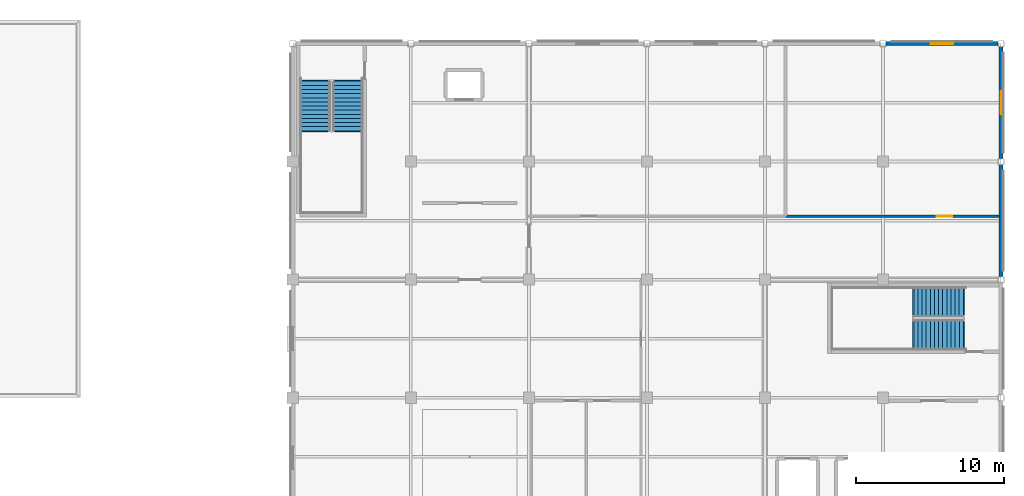
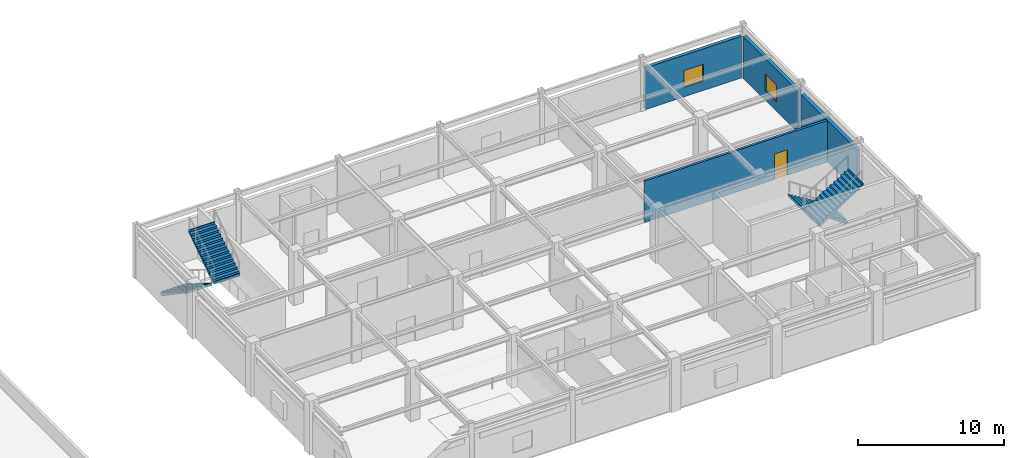
# One storey, part 35 of 42: 4 stair flights, 4 walls, 2 windows, 1 door, 3 openings, 2 elements without a shape of their own.
"""IFC4 building model written with IfcOpenShell, lengths in metres."""

from ifc_helpers import new_model, si_unit, direction, frame, frame_2d, origin, place, context, subcontext, project, spatial, polyline, rectangle, outline, extrude, material, layer, layer_set, type_object, element, fill, aggregate, save


model = new_model("IFC4")

# Units and contexts
model_context = context("Model", 3, precision=1e-05, world=origin(), true_north=direction((0.0, 1.0)))
body_context = subcontext(model_context, "Body", "Model", "MODEL_VIEW")
ifc_project = project(units=[si_unit("LENGTHUNIT", "METRE"), si_unit("AREAUNIT", "SQUARE_METRE"), si_unit("VOLUMEUNIT", "CUBIC_METRE"), si_unit("PLANEANGLEUNIT", "RADIAN"), si_unit("MASSUNIT", "GRAM", prefix="KILO")], contexts=[model_context])

# Site, building, storey
site_placement = place(None, origin())
site = spatial("IfcSite", under=ifc_project, at=site_placement, CompositionType="ELEMENT")
building_placement = place(site_placement, origin())
building = spatial("IfcBuilding", under=site, at=building_placement, Name="Solmirada Galleria", CompositionType="ELEMENT")
storey_placement = place(building_placement, frame((0.0, 0.0, 28.39990234375)))
storey = spatial("IfcBuildingStorey", under=building, at=storey_placement, Name="L06", CompositionType="ELEMENT", Elevation=28.39990234375)

# Wall, opening, window
ifc_material_1 = material(Name="Precast concrete C40/50", Category="concrete")
ifc_layer_1 = layer(ifc_material_1, 0.27001953125)
ifc_layer_set_1 = layer_set([ifc_layer_1], Name="Precast concrete C40/50")
wall_type_1 = type_object("IfcWallType", Name="WL-EXT-270", PredefinedType="STANDARD", material=ifc_layer_set_1)
wall_1_placement = place(storey_placement, frame((168.202880859375, 120.0, 0.0), z_axis=(0.0, 0.0, 1.0), x_axis=(1.0, 0.0, 0.0)))
wall_1 = element("IfcWall", 1, at=wall_1_placement, inside=storey, type_object=wall_type_1, Name="Exterior wall L06 bay 043", PredefinedType="STANDARD", context=body_context, shape_type="SweptSolid", body=[
    extrude(rectangle(XDim=7.59423828125, YDim=0.27001953125, at=frame_2d((3.797119140625, 0.0))), origin(), (0.0, 0.0, 1.0), 3.47998046875),
])
opening_1_placement = place(wall_1_placement, frame((3.02197265625, 0.0, 0.800048828125)))
opening_1 = element("IfcOpeningElement", 2, at=opening_1_placement, cuts=wall_1, Name="Opening WN14", PredefinedType="OPENING", context=body_context, shape_type="SweptSolid", body=[
    extrude(rectangle(XDim=1.550048828125, YDim=1.39990234375, at=frame_2d((0.77490234375, 0.699951171875))), frame((0.0, 0.14501953125, 0.0), z_axis=(0.0, -1.0, 0.0), x_axis=(1.0, 0.0, 0.0)), (0.0, 0.0, 1.0), 0.2900390625),
])
ifc_material_2 = material(Name="Impact-resistant low-E double glazing", Category="glass")
window_type = type_object("IfcWindowType", Name="WIN-OFF-155X140", PartitioningType="SINGLE_PANEL", PredefinedType="WINDOW", material=ifc_material_2)
window_1_placement = place(opening_1_placement, origin())
window_1 = element("IfcWindow", 3, at=window_1_placement, inside=storey, type_object=window_type, Name="Window L06-204", OverallHeight=1.39990234375, OverallWidth=1.550048828125, PartitioningType="SINGLE_PANEL", PredefinedType="WINDOW", context=body_context, shape_type="SweptSolid", body=[
    extrude(rectangle(XDim=1.550048828125, YDim=1.39990234375, at=frame_2d((0.77490234375, 0.699951171875))), frame((0.0, 0.030029296875, 0.0), z_axis=(0.0, -1.0, 0.0), x_axis=(1.0, 0.0, 0.0)), (0.0, 0.0, 1.0), 0.06005859375),
])
fill(opening_1, window_1)

wall_2_placement = place(storey_placement, frame((176.0, 119.797119140625, 0.0), z_axis=(0.0, 0.0, 1.0), x_axis=(0.0, -1.0, 0.0)))
wall_2 = element("IfcWall", 4, at=wall_2_placement, inside=storey, type_object=wall_type_1, Name="Exterior wall L06 bay 044", PredefinedType="STANDARD", context=body_context, shape_type="SweptSolid", body=[
    extrude(rectangle(XDim=7.59423828125, YDim=0.27001953125, at=frame_2d((3.797119140625, 0.0))), origin(), (0.0, 0.0, 1.0), 3.47998046875),
])
opening_2_placement = place(wall_2_placement, frame((3.02197265625, 0.0, 0.800048828125)))
opening_2 = element("IfcOpeningElement", 5, at=opening_2_placement, cuts=wall_2, Name="Opening WN14", PredefinedType="OPENING", context=body_context, shape_type="SweptSolid", body=[
    extrude(rectangle(XDim=1.550048828125, YDim=1.39990234375, at=frame_2d((0.77490234375, 0.699951171875))), frame((0.0, 0.14501953125, 0.0), z_axis=(0.0, -1.0, 0.0), x_axis=(1.0, 0.0, 0.0)), (0.0, 0.0, 1.0), 0.2900390625),
])
window_2_placement = place(opening_2_placement, origin())
window_2 = element("IfcWindow", 6, at=window_2_placement, inside=storey, type_object=window_type, Name="Window L06-205", OverallHeight=1.39990234375, OverallWidth=1.550048828125, PartitioningType="SINGLE_PANEL", PredefinedType="WINDOW", context=body_context, shape_type="SweptSolid", body=[
    extrude(rectangle(XDim=1.550048828125, YDim=1.39990234375, at=frame_2d((0.77490234375, 0.699951171875))), frame((0.0, 0.030029296875, 0.0), z_axis=(0.0, -1.0, 0.0), x_axis=(1.0, 0.0, 0.0)), (0.0, 0.0, 1.0), 0.06005859375),
])
fill(opening_2, window_2)

# Wall
wall_3_placement = place(storey_placement, frame((176.0, 111.797119140625, 0.0), z_axis=(0.0, 0.0, 1.0), x_axis=(0.0, -1.0, 0.0)))
element("IfcWall", 7, at=wall_3_placement, inside=storey, type_object=wall_type_1, Name="Exterior wall L06 bay 045", PredefinedType="STANDARD", context=body_context, shape_type="SweptSolid", body=[
    extrude(rectangle(XDim=7.59423828125, YDim=0.27001953125, at=frame_2d((3.797119140625, 0.0))), origin(), (0.0, 0.0, 1.0), 3.47998046875),
])

# Wall, opening, door
ifc_material_3 = material(Name="Fire-rated gypsum and steel-stud partition", Category="steel")
ifc_layer_2 = layer(ifc_material_3, 0.18994140625)
ifc_layer_set_2 = layer_set([ifc_layer_2], Name="Fire-rated gypsum and steel-stud partition")
wall_type_2 = type_object("IfcWallType", Name="WL-PART-190", PredefinedType="PARTITIONING", material=ifc_layer_set_2)
wall_4_placement = place(storey_placement, frame((161.39990234375, 108.300048828125, 0.0), z_axis=(0.0, 0.0, 1.0), x_axis=(1.0, 0.0, 0.0)))
wall_4 = element("IfcWall", 8, at=wall_4_placement, inside=storey, type_object=wall_type_2, Name="Partition L06-171 (Kitchen/Plant L06)", PredefinedType="PARTITIONING", context=body_context, shape_type="SweptSolid", body=[
    extrude(rectangle(XDim=14.4501953125, YDim=0.18994140625, at=frame_2d((7.22509765625, 0.0))), origin(), (0.0, 0.0, 1.0), 3.47998046875),
])
opening_3_placement = place(wall_4_placement, frame((10.261962890625, 0.0, 0.0)))
opening_3 = element("IfcOpeningElement", 9, at=opening_3_placement, cuts=wall_4, Name="Opening ID-379", PredefinedType="OPENING", context=body_context, shape_type="SweptSolid", body=[
    extrude(rectangle(XDim=1.050048828125, YDim=2.14990234375, at=frame_2d((0.52490234375, 1.074951171875))), frame((0.0, 0.10498046875, 0.0), z_axis=(0.0, -1.0, 0.0), x_axis=(1.0, 0.0, 0.0)), (0.0, 0.0, 1.0), 0.2099609375),
])
ifc_material_4 = material(Name="Fire-rated painted steel door assembly", Category="steel")
door_type = type_object("IfcDoorType", Name="DR-FIRE-105X215", OperationType="NOTDEFINED", PredefinedType="DOOR", material=ifc_material_4)
door_placement = place(opening_3_placement, origin())
door = element("IfcDoor", 10, at=door_placement, inside=storey, type_object=door_type, Name="Kitchen/Plant L06 door ID-379", OperationType="SINGLE_SWING_RIGHT", OverallHeight=2.14990234375, OverallWidth=1.050048828125, PredefinedType="DOOR", context=body_context, shape_type="SweptSolid", body=[
    extrude(rectangle(XDim=1.050048828125, YDim=2.14990234375, at=frame_2d((0.52490234375, 1.074951171875))), frame((0.0, 0.02490234375, 0.0), z_axis=(0.0, -1.0, 0.0), x_axis=(1.0, 0.0, 0.0)), (0.0, 0.0, 1.0), 0.050048828125),
])
fill(opening_3, door)

# Stair, stair flights
ifc_material_5 = material(Name="Concrete C35/45", Category="concrete")
stair_type = type_object("IfcStairType", Name="STR-DOG-205-H45", PredefinedType="HALF_TURN_STAIR", material=ifc_material_5)
stair_1_placement = place(storey_placement, origin())
stair_1 = element("IfcStair", 11, at=stair_1_placement, inside=storey, type_object=stair_type, Name="L06 North Avenue High-Rise Core Exit Stair ST3", PredefinedType="HALF_TURN_STAIR")
stair_flight_type = type_object("IfcStairFlightType", Name="SFL-DOG-205-H45", PredefinedType="STRAIGHT", material=ifc_material_5)
stair_flight_1_placement = place(storey_placement, frame((129.52490234375, 117.449951171875, 0.0), z_axis=(0.0, 0.0, 1.0), x_axis=(0.0, -1.0, 0.0)))
stair_flight_1 = element("IfcStairFlight", 12, at=stair_flight_1_placement, type_object=stair_flight_type, Name="ST3 flight 1", NumberOfRisers=13, NumberOfTreads=12, PredefinedType="STRAIGHT", RiserHeight=0.173076923, TreadLength=0.28, context=body_context, shape_type="SweptSolid", body=[
    extrude(outline(polyline([(-0.080078125, 0.0), (0.0, 0.0), (0.0, 0.173095703125), (0.280029296875, 0.173095703125), (0.280029296875, 0.34619140625), (0.56005859375, 0.34619140625), (0.56005859375, 0.519287109375), (0.840087890625, 0.519287109375), (0.840087890625, 0.6923828125), (1.1201171875, 0.6923828125), (1.1201171875, 0.865478515625), (1.39990234375, 0.865478515625), (1.39990234375, 1.03857421875), (1.679931640625, 1.03857421875), (1.679931640625, 1.21142578125), (1.9599609375, 1.21142578125), (1.9599609375, 1.384521484375), (2.239990234375, 1.384521484375), (2.239990234375, 1.5576171875), (2.52001953125, 1.5576171875), (2.52001953125, 1.730712890625), (2.800048828125, 1.730712890625), (2.800048828125, 1.90380859375), (3.080078125, 1.90380859375), (3.080078125, 2.076904296875), (3.360107421875, 2.076904296875), (3.360107421875, 2.25), (3.43994140625, 2.25), (3.43994140625, 2.050048828125), (3.360107421875, 2.050048828125), (0.080078125, -0.179931640625), (-0.080078125, -0.179931640625), (-0.080078125, 0.0)])), frame((0.0, 1.02490234375, 0.0), z_axis=(0.0, -1.0, 0.0), x_axis=(1.0, 0.0, 0.0)), (0.0, 0.0, 1.0), 2.050048828125),
])
stair_flight_2_placement = place(storey_placement, frame((131.72509765625, 114.090087890625, 2.25), z_axis=(0.0, 0.0, 1.0), x_axis=(0.0, 1.0, 0.0)))
stair_flight_2 = element("IfcStairFlight", 13, at=stair_flight_2_placement, type_object=stair_flight_type, Name="ST3 flight 2", NumberOfRisers=13, NumberOfTreads=12, PredefinedType="STRAIGHT", RiserHeight=0.173076923, TreadLength=0.28, context=body_context, shape_type="SweptSolid", body=[
    extrude(outline(polyline([(-0.080078125, 0.0), (0.0, 0.0), (0.0, 0.173095703125), (0.280029296875, 0.173095703125), (0.280029296875, 0.34619140625), (0.56005859375, 0.34619140625), (0.56005859375, 0.519287109375), (0.840087890625, 0.519287109375), (0.840087890625, 0.6923828125), (1.1201171875, 0.6923828125), (1.1201171875, 0.865478515625), (1.39990234375, 0.865478515625), (1.39990234375, 1.03857421875), (1.679931640625, 1.03857421875), (1.679931640625, 1.21142578125), (1.9599609375, 1.21142578125), (1.9599609375, 1.384521484375), (2.239990234375, 1.384521484375), (2.239990234375, 1.5576171875), (2.52001953125, 1.5576171875), (2.52001953125, 1.730712890625), (2.800048828125, 1.730712890625), (2.800048828125, 1.90380859375), (3.080078125, 1.90380859375), (3.080078125, 2.076904296875), (3.360107421875, 2.076904296875), (3.360107421875, 2.25), (3.43994140625, 2.25), (3.43994140625, 2.050048828125), (3.360107421875, 2.050048828125), (0.080078125, -0.179931640625), (-0.080078125, -0.179931640625), (-0.080078125, 0.0)])), frame((0.0, 1.02490234375, 0.0), z_axis=(0.0, -1.0, 0.0), x_axis=(1.0, 0.0, 0.0)), (0.0, 0.0, 1.0), 2.050048828125),
])
aggregate(stair_1, [stair_flight_1, stair_flight_2])

stair_2_placement = place(storey_placement, origin())
stair_2 = element("IfcStair", 14, at=stair_2_placement, inside=storey, type_object=stair_type, Name="L06 East Avenue High-Rise and Freight Core Exit Stair ST4", PredefinedType="HALF_TURN_STAIR")
stair_flight_3_placement = place(storey_placement, frame((173.449951171875, 102.47509765625, 0.0), z_axis=(0.0, 0.0, 1.0), x_axis=(-1.0, 0.0, 0.0)))
stair_flight_3 = element("IfcStairFlight", 15, at=stair_flight_3_placement, type_object=stair_flight_type, Name="ST4 flight 1", NumberOfRisers=13, NumberOfTreads=12, PredefinedType="STRAIGHT", RiserHeight=0.173076923, TreadLength=0.28, context=body_context, shape_type="SweptSolid", body=[
    extrude(outline(polyline([(-0.080078125, 0.0), (0.0, 0.0), (0.0, 0.173095703125), (0.280029296875, 0.173095703125), (0.280029296875, 0.34619140625), (0.56005859375, 0.34619140625), (0.56005859375, 0.519287109375), (0.840087890625, 0.519287109375), (0.840087890625, 0.6923828125), (1.1201171875, 0.6923828125), (1.1201171875, 0.865478515625), (1.39990234375, 0.865478515625), (1.39990234375, 1.03857421875), (1.679931640625, 1.03857421875), (1.679931640625, 1.21142578125), (1.9599609375, 1.21142578125), (1.9599609375, 1.384521484375), (2.239990234375, 1.384521484375), (2.239990234375, 1.5576171875), (2.52001953125, 1.5576171875), (2.52001953125, 1.730712890625), (2.800048828125, 1.730712890625), (2.800048828125, 1.90380859375), (3.080078125, 1.90380859375), (3.080078125, 2.076904296875), (3.360107421875, 2.076904296875), (3.360107421875, 2.25), (3.43994140625, 2.25), (3.43994140625, 2.050048828125), (3.360107421875, 2.050048828125), (0.080078125, -0.179931640625), (-0.080078125, -0.179931640625), (-0.080078125, 0.0)])), frame((0.0, 1.02490234375, 0.0), z_axis=(0.0, -1.0, 0.0), x_axis=(1.0, 0.0, 0.0)), (0.0, 0.0, 1.0), 2.050048828125),
])
stair_flight_4_placement = place(storey_placement, frame((170.090087890625, 100.27490234375, 2.25), z_axis=(0.0, 0.0, 1.0), x_axis=(1.0, 0.0, 0.0)))
stair_flight_4 = element("IfcStairFlight", 16, at=stair_flight_4_placement, type_object=stair_flight_type, Name="ST4 flight 2", NumberOfRisers=13, NumberOfTreads=12, PredefinedType="STRAIGHT", RiserHeight=0.173076923, TreadLength=0.28, context=body_context, shape_type="SweptSolid", body=[
    extrude(outline(polyline([(-0.080078125, 0.0), (0.0, 0.0), (0.0, 0.173095703125), (0.280029296875, 0.173095703125), (0.280029296875, 0.34619140625), (0.56005859375, 0.34619140625), (0.56005859375, 0.519287109375), (0.840087890625, 0.519287109375), (0.840087890625, 0.6923828125), (1.1201171875, 0.6923828125), (1.1201171875, 0.865478515625), (1.39990234375, 0.865478515625), (1.39990234375, 1.03857421875), (1.679931640625, 1.03857421875), (1.679931640625, 1.21142578125), (1.9599609375, 1.21142578125), (1.9599609375, 1.384521484375), (2.239990234375, 1.384521484375), (2.239990234375, 1.5576171875), (2.52001953125, 1.5576171875), (2.52001953125, 1.730712890625), (2.800048828125, 1.730712890625), (2.800048828125, 1.90380859375), (3.080078125, 1.90380859375), (3.080078125, 2.076904296875), (3.360107421875, 2.076904296875), (3.360107421875, 2.25), (3.43994140625, 2.25), (3.43994140625, 2.050048828125), (3.360107421875, 2.050048828125), (0.080078125, -0.179931640625), (-0.080078125, -0.179931640625), (-0.080078125, 0.0)])), frame((0.0, 1.02490234375, 0.0), z_axis=(0.0, -1.0, 0.0), x_axis=(1.0, 0.0, 0.0)), (0.0, 0.0, 1.0), 2.050048828125),
])
aggregate(stair_2, [stair_flight_3, stair_flight_4])

save(model, "model.ifc")
